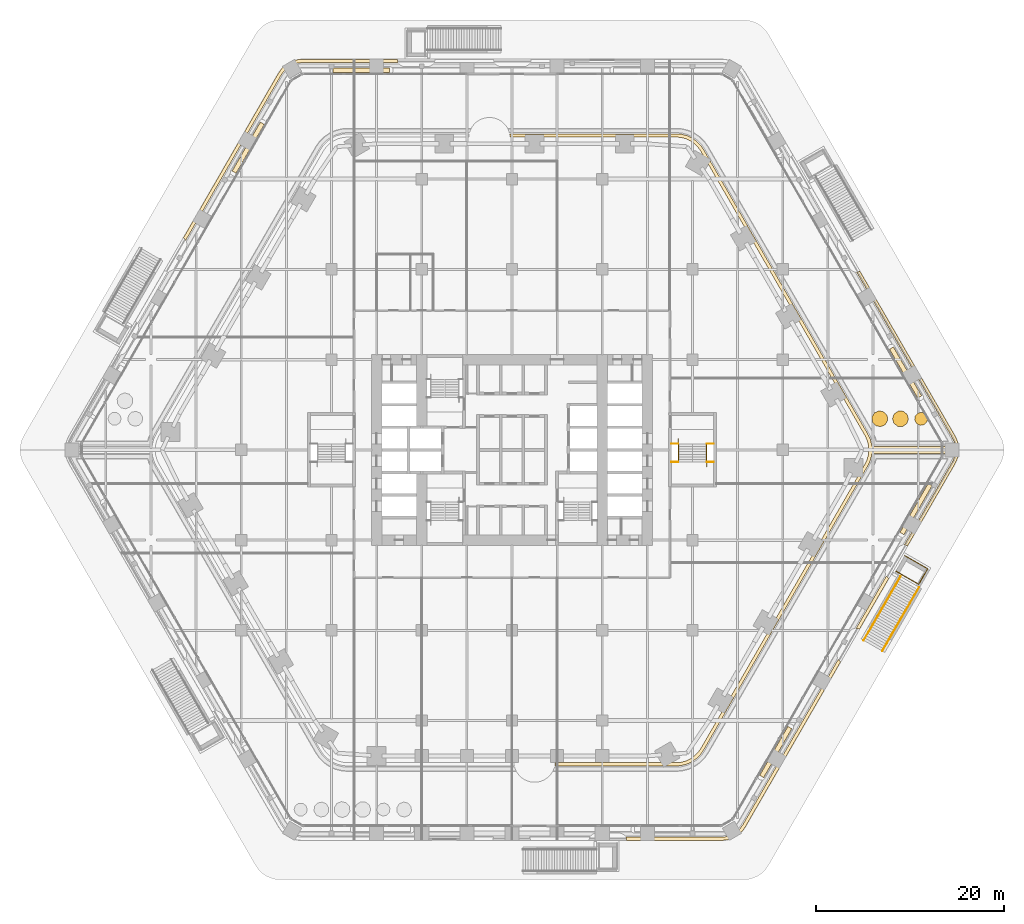
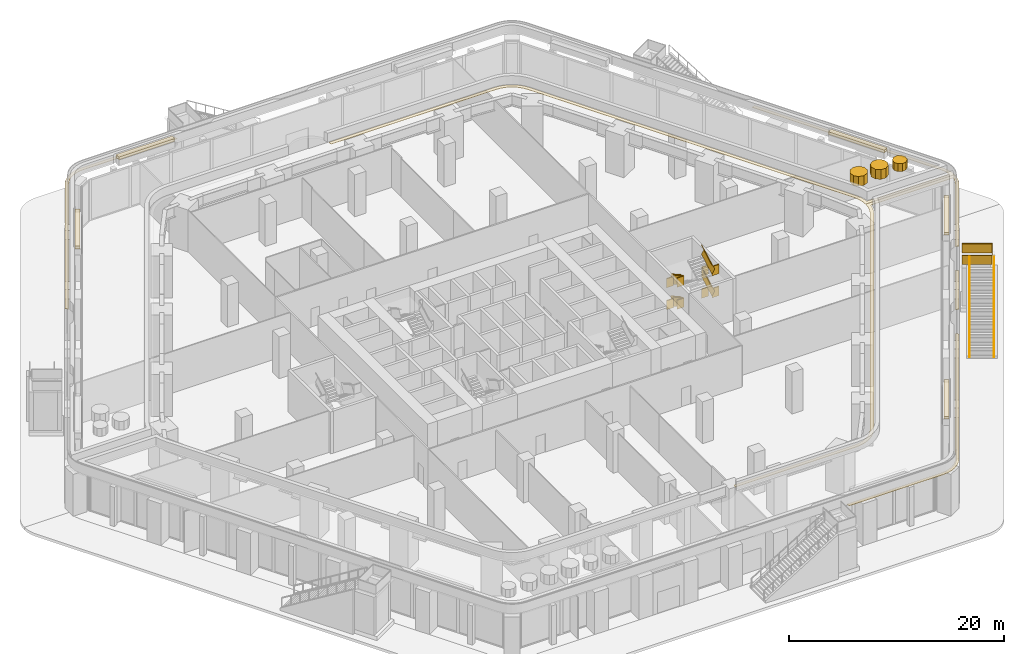
# One storey, part 32 of 34: 13 coverings, 5 railings.
"""IFC4 building model written with IfcOpenShell, lengths in metres."""

from ifc_helpers import new_model, si_unit, direction, frame, frame_2d, origin, origin_2d, place, context, subcontext, project, spatial, polyline, rectangle, circle, outline, extrude, material, layer, layer_set, type_object, element, save


model = new_model("IFC4")

# Units and contexts
model_context = context("Model", 3, precision=1e-05, world=origin(), true_north=direction((0.0, 1.0)))
body_context = subcontext(model_context, "Body", "Model", "MODEL_VIEW")
ifc_project = project(units=[si_unit("LENGTHUNIT", "METRE"), si_unit("AREAUNIT", "SQUARE_METRE"), si_unit("VOLUMEUNIT", "CUBIC_METRE"), si_unit("PLANEANGLEUNIT", "RADIAN"), si_unit("MASSUNIT", "GRAM", prefix="KILO")], contexts=[model_context])

# Site, building, storey
site_placement = place(None, origin())
site = spatial("IfcSite", under=ifc_project, at=site_placement, CompositionType="ELEMENT")
building_placement = place(site_placement, origin())
building = spatial("IfcBuilding", under=site, at=building_placement, Name="Kolab Exchange Tower", CompositionType="ELEMENT")
storey_placement = place(building_placement, frame((0.0, 0.0, 12.39990234375)))
storey = spatial("IfcBuildingStorey", under=building, at=storey_placement, Name="L02", CompositionType="ELEMENT", Elevation=12.39990234375)

# Railings
ifc_material_1 = material(Name="Stainless steel 316", Category="steel")
railing_type_1 = type_object("IfcRailingType", Name="GUARD 1100", PredefinedType="GUARDRAIL", material=ifc_material_1)
railing_1_placement = place(storey_placement, frame((16.949951171875, 0.64990234375, 0.0)))
element("IfcRailing", 1, at=railing_1_placement, inside=storey, type_object=railing_type_1, Name="Guard ST4", PredefinedType="GUARDRAIL", context=body_context, shape_type="SweptSolid", body=[
    extrude(rectangle(XDim=0.05, YDim=0.05, at=origin_2d()), frame((0.0, 0.0, 1.0751953125), z_axis=(1.0, 0.0, 0.0), x_axis=(0.0, 1.0, 0.0)), (0.0, 0.0, 1.0), 0.739990234375),
    extrude(rectangle(XDim=0.012, YDim=1.05009765625, at=frame_2d((0.0, 0.525146484375))), frame((0.0, 0.0, 0.0), z_axis=(1.0, 0.0, 0.0), x_axis=(0.0, 1.0, 0.0)), (0.0, 0.0, 1.0), 0.739990234375),
    extrude(rectangle(XDim=0.05, YDim=0.05, at=origin_2d()), frame((3.760009765625, 0.0, 1.0751953125), z_axis=(1.0, 0.0, 0.0), x_axis=(0.0, 1.0, 0.0)), (0.0, 0.0, 1.0), 0.739990234375),
    extrude(rectangle(XDim=0.012, YDim=1.05009765625, at=frame_2d((0.0, 0.525146484375))), frame((3.760009765625, 0.0, 0.0), z_axis=(1.0, 0.0, 0.0), x_axis=(0.0, 1.0, 0.0)), (0.0, 0.0, 1.0), 0.739990234375),
    extrude(rectangle(XDim=0.05, YDim=0.05, at=origin_2d()), frame((0.0, -1.9599609375, 2.3251953125), z_axis=(1.0, 0.0, 0.0), x_axis=(0.0, 1.0, 0.0)), (0.0, 0.0, 1.0), 0.739990234375),
    extrude(rectangle(XDim=0.012, YDim=1.05009765625, at=frame_2d((0.0, 0.525146484375))), frame((0.0, -1.9599609375, 1.25), z_axis=(1.0, 0.0, 0.0), x_axis=(0.0, 1.0, 0.0)), (0.0, 0.0, 1.0), 0.739990234375),
    extrude(rectangle(XDim=0.05, YDim=0.05, at=origin_2d()), frame((3.760009765625, -1.9599609375, 2.3251953125), z_axis=(1.0, 0.0, 0.0), x_axis=(0.0, 1.0, 0.0)), (0.0, 0.0, 1.0), 0.739990234375),
    extrude(rectangle(XDim=0.012, YDim=1.05009765625, at=frame_2d((0.0, 0.525146484375))), frame((3.760009765625, -1.9599609375, 1.25), z_axis=(1.0, 0.0, 0.0), x_axis=(0.0, 1.0, 0.0)), (0.0, 0.0, 1.0), 0.739990234375),
    extrude(rectangle(XDim=0.05, YDim=0.05, at=origin_2d()), frame((0.0, 0.0, 3.5751953125), z_axis=(1.0, 0.0, 0.0), x_axis=(0.0, 1.0, 0.0)), (0.0, 0.0, 1.0), 0.739990234375),
    extrude(rectangle(XDim=0.012, YDim=1.05009765625, at=frame_2d((0.0, 0.525146484375))), frame((0.0, 0.0, 2.5), z_axis=(1.0, 0.0, 0.0), x_axis=(0.0, 1.0, 0.0)), (0.0, 0.0, 1.0), 0.739990234375),
    extrude(rectangle(XDim=0.05, YDim=0.05, at=origin_2d()), frame((3.760009765625, 0.0, 3.5751953125), z_axis=(1.0, 0.0, 0.0), x_axis=(0.0, 1.0, 0.0)), (0.0, 0.0, 1.0), 0.739990234375),
    extrude(rectangle(XDim=0.012, YDim=1.05009765625, at=frame_2d((0.0, 0.525146484375))), frame((3.760009765625, 0.0, 2.5), z_axis=(1.0, 0.0, 0.0), x_axis=(0.0, 1.0, 0.0)), (0.0, 0.0, 1.0), 0.739990234375),
    extrude(rectangle(XDim=0.05, YDim=0.05, at=origin_2d()), frame((0.0, -1.9599609375, 4.8251953125), z_axis=(1.0, 0.0, 0.0), x_axis=(0.0, 1.0, 0.0)), (0.0, 0.0, 1.0), 0.739990234375),
    extrude(rectangle(XDim=0.012, YDim=1.05009765625, at=frame_2d((0.0, 0.525146484375))), frame((0.0, -1.9599609375, 3.75), z_axis=(1.0, 0.0, 0.0), x_axis=(0.0, 1.0, 0.0)), (0.0, 0.0, 1.0), 0.739990234375),
    extrude(rectangle(XDim=0.05, YDim=0.05, at=origin_2d()), frame((3.760009765625, -1.9599609375, 4.8251953125), z_axis=(1.0, 0.0, 0.0), x_axis=(0.0, 1.0, 0.0)), (0.0, 0.0, 1.0), 0.739990234375),
    extrude(rectangle(XDim=0.012, YDim=1.05009765625, at=frame_2d((0.0, 0.525146484375))), frame((3.760009765625, -1.9599609375, 3.75), z_axis=(1.0, 0.0, 0.0), x_axis=(0.0, 1.0, 0.0)), (0.0, 0.0, 1.0), 0.739990234375),
])
railing_2_placement = place(storey_placement, frame((17.68994140625, 0.64990234375, 0.156494140625)))
element("IfcRailing", 2, at=railing_2_placement, inside=storey, type_object=railing_type_1, Name="Handrail guard ST4", PredefinedType="GUARDRAIL", context=body_context, shape_type="SweptSolid", body=[
    extrude(rectangle(XDim=0.05, YDim=0.05, at=origin_2d()), frame((0.0, 0.0, 1.0751953125), z_axis=(0.0, -0.873278433264, 0.487221487617), x_axis=(1.0, 0.0, 0.0)), (0.0, 0.0, 1.0), 2.244384765625),
    extrude(rectangle(XDim=0.012, YDim=1.05009765625, at=frame_2d((0.0, 0.525146484375))), frame((0.0, 0.0, 0.0), z_axis=(0.0, -0.873278433264, 0.487221487617), x_axis=(1.0, 0.0, 0.0)), (0.0, 0.0, 1.0), 2.244384765625),
    extrude(rectangle(XDim=0.05, YDim=0.05, at=origin_2d()), frame((3.02001953125, -1.9599609375, 2.3251953125), z_axis=(0.0, 0.873278433264, 0.487221487617), x_axis=(-1.0, 0.0, 0.0)), (0.0, 0.0, 1.0), 2.244384765625),
    extrude(rectangle(XDim=0.012, YDim=1.05009765625, at=frame_2d((0.0, 0.525146484375))), frame((3.02001953125, -1.9599609375, 1.25), z_axis=(0.0, 0.873278433264, 0.487221487617), x_axis=(-1.0, 0.0, 0.0)), (0.0, 0.0, 1.0), 2.244384765625),
    extrude(rectangle(XDim=0.05, YDim=0.05, at=origin_2d()), frame((0.0, 0.0, 3.5751953125), z_axis=(0.0, -0.873278433264, 0.487221487617), x_axis=(1.0, 0.0, 0.0)), (0.0, 0.0, 1.0), 2.244384765625),
    extrude(rectangle(XDim=0.012, YDim=1.05009765625, at=frame_2d((0.0, 0.525146484375))), frame((0.0, 0.0, 2.5), z_axis=(0.0, -0.873278433264, 0.487221487617), x_axis=(1.0, 0.0, 0.0)), (0.0, 0.0, 1.0), 2.244384765625),
    extrude(rectangle(XDim=0.05, YDim=0.05, at=origin_2d()), frame((3.02001953125, -1.9599609375, 4.824951171875), z_axis=(0.0, 0.873232148454, 0.487304437602), x_axis=(-1.0, 0.0, 0.0)), (0.0, 0.0, 1.0), 2.244384765625),
    extrude(rectangle(XDim=0.012, YDim=1.05009765625, at=frame_2d((0.0, 0.525146484375))), frame((3.02001953125, -1.9599609375, 3.749755859375), z_axis=(0.0, 0.873232148454, 0.487304437602), x_axis=(-1.0, 0.0, 0.0)), (0.0, 0.0, 1.0), 2.244384765625),
])
ifc_material_2 = material(Name="Steel S235", Category="steel")
railing_type_2 = type_object("IfcRailingType", Name="GUARD 1100 GLASS BALUSTRADE AND STEEL TOP RAIL", PredefinedType="GUARDRAIL", material=ifc_material_2)
for number, where, name in (
    (3, (37.411376953125, -20.260009765625, 0.172607421875), "Stair guard"),
    (4, (39.385986328125, -21.39990234375, 0.172607421875), "Stair guard"),
):
    element("IfcRailing", number, at=place(storey_placement, frame(where)), inside=storey, type_object=railing_type_2, Name=name, PredefinedType="GUARDRAIL", context=body_context, shape_type="SweptSolid", body=[
        extrude(circle(Radius=0.02490234375, at=origin_2d()), frame((0.0, 0.0, 1.0751953125), z_axis=(0.425757892633, 0.737439399235, 0.524321799391), x_axis=(-0.86602690036, 0.499997407846, 0.0)), (0.0, 0.0, 1.0), 9.20703125),
        extrude(circle(Radius=0.02001953125, at=origin_2d()), origin(), (0.0, 0.0, 1.0), 1.050048828125),
        extrude(circle(Radius=0.02001953125, at=origin_2d()), frame((0.489990234375, 0.8486328125, 0.603515625)), (0.0, 0.0, 1.0), 1.050048828125),
        extrude(circle(Radius=0.02001953125, at=origin_2d()), frame((0.97998046875, 1.697265625, 1.206787109375)), (0.0, 0.0, 1.0), 1.050048828125),
        extrude(circle(Radius=0.02001953125, at=origin_2d()), frame((1.469970703125, 2.546142578125, 1.810302734375)), (0.0, 0.0, 1.0), 1.050048828125),
        extrude(circle(Radius=0.02001953125, at=origin_2d()), frame((1.9599609375, 3.394775390625, 2.41357421875)), (0.0, 0.0, 1.0), 1.050048828125),
        extrude(circle(Radius=0.02001953125, at=origin_2d()), frame((2.449951171875, 4.243408203125, 3.01708984375)), (0.0, 0.0, 1.0), 1.050048828125),
        extrude(circle(Radius=0.02001953125, at=origin_2d()), frame((2.93994140625, 5.09228515625, 3.62060546875)), (0.0, 0.0, 1.0), 1.050048828125),
        extrude(circle(Radius=0.02001953125, at=origin_2d()), frame((3.429931640625, 5.94091796875, 4.223876953125)), (0.0, 0.0, 1.0), 1.050048828125),
        extrude(circle(Radius=0.02001953125, at=origin_2d()), frame((3.919921875, 6.78955078125, 4.827392578125)), (0.0, 0.0, 1.0), 1.050048828125),
    ])
railing_3_placement = place(storey_placement, frame((41.79150390625, -11.25341796875, 5.0)))
element("IfcRailing", 5, at=railing_3_placement, inside=storey, type_object=railing_type_2, Name="Landing guard", PredefinedType="GUARDRAIL", context=body_context, shape_type="SweptSolid", body=[
    extrude(rectangle(XDim=0.05, YDim=0.05, at=origin_2d()), frame((0.0, 0.0, 1.0751953125), z_axis=(0.866034573852, -0.49998411664, 0.0), x_axis=(0.49998411664, 0.866034573852, 0.0)), (0.0, 0.0, 1.0), 2.7998046875),
    extrude(rectangle(XDim=0.012, YDim=1.05009765625, at=frame_2d((0.0, 0.525146484375))), frame((0.0, 0.0, 0.0), z_axis=(0.866034573852, -0.49998411664, 0.0), x_axis=(0.49998411664, 0.866034573852, 0.0)), (0.0, 0.0, 1.0), 2.7998046875),
    extrude(rectangle(XDim=0.05, YDim=0.05, at=origin_2d()), frame((2.4248046875, -1.39990234375, 1.0751953125), z_axis=(-0.499929534118, -0.866066083458, 0.0), x_axis=(0.866066083458, -0.499929534118, 0.0)), (0.0, 0.0, 1.0), 1.905029296875),
    extrude(rectangle(XDim=0.012, YDim=1.05009765625, at=frame_2d((0.0, 0.525146484375))), frame((2.4248046875, -1.39990234375, 0.0), z_axis=(-0.499929534118, -0.866066083458, 0.0), x_axis=(0.866066083458, -0.499929534118, 0.0)), (0.0, 0.0, 1.0), 1.905029296875),
    extrude(rectangle(XDim=0.05, YDim=0.05, at=origin_2d()), frame((1.472412109375, -3.0498046875, 1.0751953125), z_axis=(-0.866034573852, 0.49998411664, 0.0), x_axis=(-0.49998411664, -0.866034573852, 0.0)), (0.0, 0.0, 1.0), 2.7998046875),
    extrude(rectangle(XDim=0.012, YDim=1.05009765625, at=frame_2d((0.0, 0.525146484375))), frame((1.472412109375, -3.0498046875, 0.0), z_axis=(-0.866034573852, 0.49998411664, 0.0), x_axis=(-0.49998411664, -0.866034573852, 0.0)), (0.0, 0.0, 1.0), 2.7998046875),
])

# Coverings
ifc_material_3 = material(Name="Dense shrub planting", Category="soil")
ifc_layer_1 = layer(ifc_material_3, 1.39990234375)
ifc_layer_set_1 = layer_set([ifc_layer_1], Name="Dense shrub planting")
covering_type_1 = type_object("IfcCoveringType", Name="PLANTED TRELLIS SCREEN AND SHRUB BED", PredefinedType="USERDEFINED", material=ifc_layer_set_1)
covering_1_placement = place(storey_placement, frame((0.0, 0.0, 5.25)))
element("IfcCovering", 6, at=covering_1_placement, inside=storey, type_object=covering_type_1, Name="Shrub bed", ObjectType="PLANTING", PredefinedType="USERDEFINED", context=body_context, shape_type="SweptSolid", body=[
    extrude(outline(polyline([(39.90771484375, 3.63623046875), (39.563720703125, 4.033203125), (39.052001953125, 4.152099609375), (38.568115234375, 3.947509765625), (38.296875, 3.49755859375), (38.342041015625, 2.97412109375), (38.68603515625, 2.5771484375), (39.19775390625, 2.458251953125), (39.681640625, 2.662841796875), (39.952880859375, 3.11279296875), (39.90771484375, 3.63623046875)])), origin(), (0.0, 0.0, 1.0), 1.10009765625),
])
covering_2_placement = place(storey_placement, frame((0.0, 0.0, 5.25)))
element("IfcCovering", 7, at=covering_2_placement, inside=storey, type_object=covering_type_1, Name="Shrub bed", ObjectType="PLANTING", PredefinedType="USERDEFINED", context=body_context, shape_type="SweptSolid", body=[
    extrude(outline(polyline([(42.0263671875, 3.78515625), (41.6103515625, 4.10595703125), (41.085205078125, 4.12060546875), (40.651611328125, 3.823974609375), (40.47509765625, 3.329345703125), (40.623291015625, 2.8251953125), (41.039306640625, 2.504638671875), (41.564453125, 2.48974609375), (41.998046875, 2.786376953125), (42.174560546875, 3.28125), (42.0263671875, 3.78515625)])), origin(), (0.0, 0.0, 1.0), 1.10009765625),
])
covering_3_placement = place(storey_placement, frame((0.0, 0.0, 5.25)))
element("IfcCovering", 8, at=covering_3_placement, inside=storey, type_object=covering_type_1, Name="Shrub bed", ObjectType="PLANTING", PredefinedType="USERDEFINED", context=body_context, shape_type="SweptSolid", body=[
    extrude(outline(polyline([(44.012451171875, 3.807373046875), (43.624267578125, 3.998046875), (43.197998046875, 3.92431640625), (42.896484375, 3.61376953125), (42.835205078125, 3.185546875), (43.037109375, 2.802978515625), (43.425537109375, 2.6123046875), (43.851806640625, 2.686279296875), (44.153076171875, 2.99658203125), (44.214599609375, 3.4248046875), (44.012451171875, 3.807373046875)])), origin(), (0.0, 0.0, 1.0), 0.900146484375),
])
ifc_material_4 = material(Name="Planting soil and turf", Category="soil")
ifc_layer_2 = layer(ifc_material_4, 0.25)
ifc_layer_set_2 = layer_set([ifc_layer_2], Name="Planting soil and turf")
covering_type_2 = type_object("IfcCoveringType", Name="PLANTING SOIL AND TURF 250", PredefinedType="USERDEFINED", material=ifc_layer_set_2)
covering_4_placement = place(storey_placement, frame((0.0, 0.0, 5.7001953125)))
element("IfcCovering", 9, at=covering_4_placement, inside=storey, type_object=covering_type_2, Name="Planting soil and turf", ObjectType="PLANTING", PredefinedType="USERDEFINED", context=body_context, shape_type="SweptSolid", body=[
    extrude(outline(polyline([(-13.032958984375, 40.609130859375), (-13.032958984375, 40.129150390625), (-19.032958984375, 40.129150390625), (-19.032958984375, 40.609130859375), (-13.032958984375, 40.609130859375)])), origin(), (0.0, 0.0, 1.0), 0.2998046875),
])
covering_5_placement = place(storey_placement, frame((0.0, 0.0, 5.7001953125)))
element("IfcCovering", 10, at=covering_5_placement, inside=storey, type_object=covering_type_2, Name="Planting soil and turf", ObjectType="PLANTING", PredefinedType="USERDEFINED", context=body_context, shape_type="SweptSolid", body=[
    extrude(outline(polyline([(43.57177734375, 5.75), (43.156005859375, 5.510009765625), (40.156005859375, 10.706298828125), (40.57177734375, 10.9462890625), (43.57177734375, 5.75)])), origin(), (0.0, 0.0, 1.0), 0.2998046875),
])
covering_6_placement = place(storey_placement, frame((0.0, 0.0, 5.7001953125)))
element("IfcCovering", 11, at=covering_6_placement, inside=storey, type_object=covering_type_2, Name="Planting soil and turf", ObjectType="PLANTING", PredefinedType="USERDEFINED", context=body_context, shape_type="SweptSolid", body=[
    extrude(outline(polyline([(26.765625, -34.859130859375), (26.349853515625, -34.619140625), (29.349853515625, -29.423095703125), (29.765625, -29.6630859375), (26.765625, -34.859130859375)])), origin(), (0.0, 0.0, 1.0), 0.2998046875),
])
covering_7_placement = place(storey_placement, frame((0.0, 0.0, 5.7001953125)))
element("IfcCovering", 12, at=covering_7_placement, inside=storey, type_object=covering_type_2, Name="Planting soil and turf", ObjectType="PLANTING", PredefinedType="USERDEFINED", context=body_context, shape_type="SweptSolid", body=[
    extrude(outline(polyline([(41.68505859375, -9.017822265625), (41.269287109375, -8.77783203125), (44.269287109375, -3.58154296875), (44.68505859375, -3.821533203125), (41.68505859375, -9.017822265625)])), origin(), (0.0, 0.0, 1.0), 0.2998046875),
])
covering_8_placement = place(storey_placement, frame((0.0, 0.0, 5.7001953125)))
element("IfcCovering", 13, at=covering_8_placement, inside=storey, type_object=covering_type_2, Name="Planting soil and turf", ObjectType="PLANTING", PredefinedType="USERDEFINED", context=body_context, shape_type="SweptSolid", body=[
    extrude(outline(polyline([(-26.765625, 34.859130859375), (-26.349853515625, 34.619140625), (-29.349853515625, 29.423095703125), (-29.765625, 29.6630859375), (-26.765625, 34.859130859375)])), origin(), (0.0, 0.0, 1.0), 0.2998046875),
])
ifc_material_5 = material(Name="Limestone coping", Category="masonry")
ifc_layer_3 = layer(ifc_material_5, 0.050048828125)
ifc_layer_set_3 = layer_set([ifc_layer_3], Name="Limestone coping")
covering_type_3 = type_object("IfcCoveringType", Name="TERRACE EDGE BAND LIMESTONE 50", PredefinedType="CLADDING", material=ifc_layer_set_3)
covering_9_placement = place(storey_placement, frame((0.0, 0.0, 5.0)))
element("IfcCovering", 14, at=covering_9_placement, inside=storey, type_object=covering_type_3, Name="Terrace edge band", PredefinedType="CLADDING", context=body_context, shape_type="SweptSolid", body=[
    extrude(outline(polyline([(-24.84912109375, 40.058349609375), (-24.55078125, 40.484619140625), (-24.183349609375, 40.85205078125), (-23.7578125, 41.14990234375), (-23.287109375, 41.369384765625), (-22.785400390625, 41.50390625), (-22.26708984375, 41.54931640625), (-12.198974609375, 41.54931640625), (-12.196044921875, 41.49072265625), (-12.1845703125, 41.4130859375), (-12.16552734375, 41.3369140625), (-12.13916015625, 41.26318359375), (-12.10888671875, 41.19921875), (-22.251708984375, 41.19921875), (-22.724365234375, 41.157958984375), (-23.1669921875, 41.039306640625), (-23.582275390625, 40.845703125), (-23.95751953125, 40.582763671875), (-24.281494140625, 40.2587890625), (-24.5537109375, 39.8701171875), (-34.705078125, 22.287353515625), (-34.745361328125, 22.345458984375), (-34.796142578125, 22.4052734375), (-34.8525390625, 22.4599609375), (-34.9140625, 22.5087890625), (-34.963134765625, 22.54052734375), (-24.84912109375, 40.058349609375)])), origin(), (0.0, 0.0, 1.0), 0.050048828125),
])
covering_10_placement = place(storey_placement, frame((0.0, 0.0, 5.0)))
element("IfcCovering", 15, at=covering_10_placement, inside=storey, type_object=covering_type_3, Name="Terrace edge band", PredefinedType="CLADDING", context=body_context, shape_type="SweptSolid", body=[
    extrude(outline(polyline([(47.1162109375, 1.49072265625), (47.336181640625, 1.019287109375), (47.470458984375, 0.517578125), (47.51416015625, 0.02001953125), (37.954345703125, 0.02001953125), (37.91015625, 0.5244140625), (37.77392578125, 1.032958984375), (37.5517578125, 1.50927734375), (20.0830078125, 31.76611328125), (19.781494140625, 32.196533203125), (19.4091796875, 32.56884765625), (18.97802734375, 32.870849609375), (18.5009765625, 33.09326171875), (17.992431640625, 33.2294921875), (17.46875, 33.275390625), (-0.205810546875, 33.275390625), (-0.210693359375, 33.37109375), (-0.2421875, 33.58447265625), (-0.25244140625, 33.62548828125), (17.484130859375, 33.62548828125), (18.053466796875, 33.57568359375), (18.62109375, 33.423583984375), (19.153564453125, 33.175048828125), (19.635009765625, 32.838134765625), (20.050537109375, 32.42236328125), (20.37841796875, 31.954345703125), (37.862548828125, 1.6708984375), (38.10400390625, 1.153076171875), (38.256103515625, 0.58544921875), (38.27490234375, 0.3701171875), (47.132080078125, 0.3701171875), (47.12451171875, 0.45654296875), (47.005859375, 0.89892578125), (46.805419921875, 1.3291015625), (36.654052734375, 18.911865234375), (36.724365234375, 18.91748046875), (36.8017578125, 18.931640625), (36.877197265625, 18.953125), (36.9501953125, 18.98193359375), (37.002197265625, 19.0087890625), (47.1162109375, 1.49072265625)])), origin(), (0.0, 0.0, 1.0), 0.050048828125),
])
covering_11_placement = place(storey_placement, frame((0.0, 0.0, 5.0)))
element("IfcCovering", 16, at=covering_11_placement, inside=storey, type_object=covering_type_3, Name="Terrace edge band", PredefinedType="CLADDING", context=body_context, shape_type="SweptSolid", body=[
    extrude(outline(polyline([(24.183349609375, -40.85205078125), (23.7578125, -41.14990234375), (23.287109375, -41.369384765625), (22.785400390625, -41.50390625), (22.26708984375, -41.54931640625), (12.198974609375, -41.54931640625), (12.196044921875, -41.49072265625), (12.1845703125, -41.4130859375), (12.16552734375, -41.3369140625), (12.13916015625, -41.26318359375), (12.10888671875, -41.19921875), (22.251708984375, -41.19921875), (22.724365234375, -41.157958984375), (23.1669921875, -41.039306640625), (23.582275390625, -40.845703125), (23.95751953125, -40.582763671875), (24.281494140625, -40.2587890625), (24.5537109375, -39.8701171875), (34.705078125, -22.287353515625), (34.745361328125, -22.345458984375), (34.796142578125, -22.4052734375), (34.8525390625, -22.4599609375), (34.9140625, -22.5087890625), (34.963134765625, -22.54052734375), (24.84912109375, -40.058349609375), (24.55078125, -40.484619140625), (24.183349609375, -40.85205078125)])), origin(), (0.0, 0.0, 1.0), 0.050048828125),
])
covering_12_placement = place(storey_placement, frame((0.0, 0.0, 5.0)))
element("IfcCovering", 17, at=covering_12_placement, inside=storey, type_object=covering_type_3, Name="Terrace edge band", PredefinedType="CLADDING", context=body_context, shape_type="SweptSolid", body=[
    extrude(outline(polyline([(17.46875, -33.275390625), (17.992431640625, -33.2294921875), (18.5009765625, -33.09326171875), (18.97802734375, -32.870849609375), (19.4091796875, -32.56884765625), (19.781494140625, -32.196533203125), (20.0830078125, -31.76611328125), (37.5517578125, -1.50927734375), (37.77392578125, -1.032958984375), (37.91015625, -0.5244140625), (37.954345703125, -0.02001953125), (47.51416015625, -0.02001953125), (47.470458984375, -0.517578125), (47.336181640625, -1.019287109375), (47.1162109375, -1.49072265625), (42.082275390625, -10.2099609375), (42.0302734375, -10.183349609375), (41.95703125, -10.154296875), (41.881591796875, -10.1328125), (41.804443359375, -10.11865234375), (41.734130859375, -10.113037109375), (46.805419921875, -1.3291015625), (47.005859375, -0.89892578125), (47.12451171875, -0.45654296875), (47.132080078125, -0.3701171875), (38.27490234375, -0.3701171875), (38.256103515625, -0.58544921875), (38.10400390625, -1.153076171875), (37.862548828125, -1.6708984375), (20.37841796875, -31.954345703125), (20.050537109375, -32.42236328125), (19.635009765625, -32.838134765625), (19.153564453125, -33.175048828125), (18.62109375, -33.423583984375), (18.053466796875, -33.57568359375), (17.484130859375, -33.62548828125), (4.547607421875, -33.62548828125), (4.5576171875, -33.58447265625), (4.58935546875, -33.37109375), (4.593994140625, -33.275390625), (17.46875, -33.275390625)])), origin(), (0.0, 0.0, 1.0), 0.050048828125),
])
covering_13_placement = place(storey_placement, frame((0.0, 0.0, 5.0)))
element("IfcCovering", 18, at=covering_13_placement, inside=storey, type_object=covering_type_3, Name="Terrace edge band", PredefinedType="CLADDING", context=body_context, shape_type="SweptSolid", body=[
    extrude(outline(polyline([(36.962158203125, -19.078125), (36.91015625, -19.05126953125), (36.837158203125, -19.0224609375), (36.76171875, -19.0009765625), (36.684326171875, -18.98681640625), (36.614013671875, -18.981201171875), (39.822509765625, -13.423583984375), (39.86279296875, -13.481689453125), (39.91357421875, -13.54150390625), (39.969970703125, -13.59619140625), (40.031494140625, -13.64501953125), (40.08056640625, -13.6767578125), (36.962158203125, -19.078125)])), origin(), (0.0, 0.0, 1.0), 0.050048828125),
])

save(model, "model.ifc")
